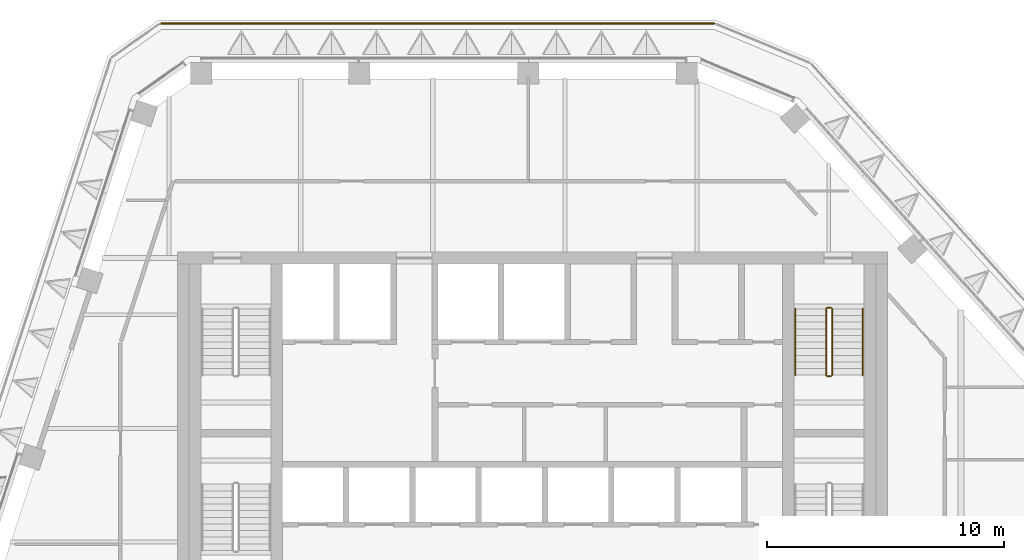
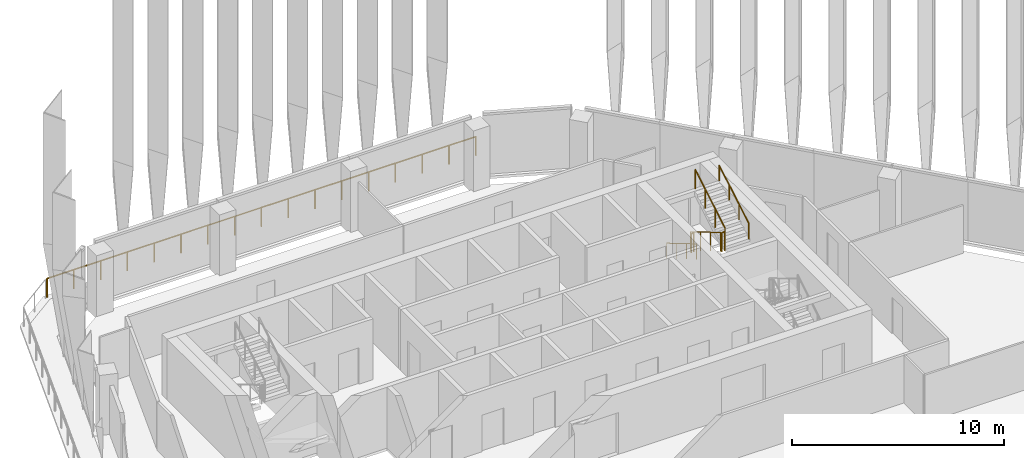
# One storey, part 16 of 21: 7 railings.
"""IFC4 building model written with IfcOpenShell, lengths in metres."""

from ifc_helpers import new_model, si_unit, direction, frame, origin, origin_2d, place, context, subcontext, project, spatial, circle, extrude, material, type_object, element, save


model = new_model("IFC4")

# Units and contexts
model_context = context("Model", 3, precision=1e-05, world=origin(), true_north=direction((0.0, 1.0)))
body_context = subcontext(model_context, "Body", "Model", "MODEL_VIEW")
ifc_project = project(units=[si_unit("LENGTHUNIT", "METRE"), si_unit("AREAUNIT", "SQUARE_METRE"), si_unit("VOLUMEUNIT", "CUBIC_METRE"), si_unit("PLANEANGLEUNIT", "RADIAN"), si_unit("MASSUNIT", "GRAM", prefix="KILO")], contexts=[model_context])

# Site, building, storey
site_placement = place(None, origin())
site = spatial("IfcSite", under=ifc_project, at=site_placement, CompositionType="ELEMENT")
building_placement = place(site_placement, origin())
building = spatial("IfcBuilding", under=site, at=building_placement, Name="Isthmus Gate Tower", CompositionType="ELEMENT")
storey_placement = place(building_placement, frame((0.0, 0.0, 260.949951171875)))
storey = spatial("IfcBuildingStorey", under=building, at=storey_placement, Name="L66", CompositionType="ELEMENT", Elevation=260.949951171875)

# Railings
ifc_material_1 = material(Name="Stainless steel posts and toughened laminated glass", Category="steel")
railing_type_1 = type_object("IfcRailingType", Name="GUARD 1100 LEDGE GLASS", PredefinedType="GUARDRAIL", material=ifc_material_1)
railing_1_placement = place(storey_placement, frame((-15.680419921875, 24.64990234375, 0.0)))
element("IfcRailing", 1, at=railing_1_placement, inside=storey, type_object=railing_type_1, Name="LEDGE GUARD", PredefinedType="GUARDRAIL", context=body_context, shape_type="SweptSolid", body=[
    extrude(circle(Radius=0.02490234375, at=origin_2d()), frame((0.0, 0.0, 1.0751953125), z_axis=(1.0, 0.0, 0.0), x_axis=(0.0, 1.0, 0.0)), (0.0, 0.0, 1.0), 23.341552734375),
    extrude(circle(Radius=0.02490234375, at=origin_2d()), origin(), (0.0, 0.0, 1.0), 1.050048828125),
    extrude(circle(Radius=0.02490234375, at=origin_2d()), frame((1.458740234375, 0.0, 0.0)), (0.0, 0.0, 1.0), 1.050048828125),
    extrude(circle(Radius=0.02490234375, at=origin_2d()), frame((2.917724609375, 0.0, 0.0)), (0.0, 0.0, 1.0), 1.050048828125),
    extrude(circle(Radius=0.02490234375, at=origin_2d()), frame((4.37646484375, 0.0, 0.0)), (0.0, 0.0, 1.0), 1.050048828125),
    extrude(circle(Radius=0.02490234375, at=origin_2d()), frame((5.83544921875, 0.0, 0.0)), (0.0, 0.0, 1.0), 1.050048828125),
    extrude(circle(Radius=0.02490234375, at=origin_2d()), frame((7.294189453125, 0.0, 0.0)), (0.0, 0.0, 1.0), 1.050048828125),
    extrude(circle(Radius=0.02490234375, at=origin_2d()), frame((8.753173828125, 0.0, 0.0)), (0.0, 0.0, 1.0), 1.050048828125),
    extrude(circle(Radius=0.02490234375, at=origin_2d()), frame((10.2119140625, 0.0, 0.0)), (0.0, 0.0, 1.0), 1.050048828125),
    extrude(circle(Radius=0.02490234375, at=origin_2d()), frame((11.6708984375, 0.0, 0.0)), (0.0, 0.0, 1.0), 1.050048828125),
    extrude(circle(Radius=0.02490234375, at=origin_2d()), frame((13.129638671875, 0.0, 0.0)), (0.0, 0.0, 1.0), 1.050048828125),
    extrude(circle(Radius=0.02490234375, at=origin_2d()), frame((14.58837890625, 0.0, 0.0)), (0.0, 0.0, 1.0), 1.050048828125),
    extrude(circle(Radius=0.02490234375, at=origin_2d()), frame((16.04736328125, 0.0, 0.0)), (0.0, 0.0, 1.0), 1.050048828125),
    extrude(circle(Radius=0.02490234375, at=origin_2d()), frame((17.506103515625, 0.0, 0.0)), (0.0, 0.0, 1.0), 1.050048828125),
    extrude(circle(Radius=0.02490234375, at=origin_2d()), frame((18.965087890625, 0.0, 0.0)), (0.0, 0.0, 1.0), 1.050048828125),
    extrude(circle(Radius=0.02490234375, at=origin_2d()), frame((20.423828125, 0.0, 0.0)), (0.0, 0.0, 1.0), 1.050048828125),
    extrude(circle(Radius=0.02490234375, at=origin_2d()), frame((21.8828125, 0.0, 0.0)), (0.0, 0.0, 1.0), 1.050048828125),
    extrude(circle(Radius=0.02490234375, at=origin_2d()), frame((23.341552734375, 0.0, 0.0)), (0.0, 0.0, 1.0), 1.050048828125),
])
ifc_material_2 = material(Name="Stainless steel balustrade", Category="steel")
railing_type_2 = type_object("IfcRailingType", Name="STAIR GUARD 1100", PredefinedType="GUARDRAIL", material=ifc_material_2)
railing_2_placement = place(storey_placement, frame((12.39990234375, 12.60009765625, 0.166015625)))
element("IfcRailing", 2, at=railing_2_placement, inside=storey, type_object=railing_type_2, Name="L66 ST2 stair guard 1", PredefinedType="GUARDRAIL", context=body_context, shape_type="SweptSolid", body=[
    extrude(circle(Radius=0.02392578125, at=origin_2d()), frame((0.0, 0.0, 1.076171875), z_axis=(0.0, -0.860339051648, 0.50972219513), x_axis=(1.0, 0.0, 0.0)), (0.0, 0.0, 1.0), 3.254638671875),
    extrude(circle(Radius=0.02099609375, at=origin_2d()), origin(), (0.0, 0.0, 1.0), 1.052001953125),
    extrude(circle(Radius=0.02099609375, at=origin_2d()), frame((0.0, -0.933349609375, 0.552978515625)), (0.0, 0.0, 1.0), 1.052001953125),
    extrude(circle(Radius=0.02099609375, at=origin_2d()), frame((0.0, -1.86669921875, 1.10595703125)), (0.0, 0.0, 1.0), 1.052001953125),
    extrude(circle(Radius=0.02099609375, at=origin_2d()), frame((0.0, -2.800048828125, 1.658935546875)), (0.0, 0.0, 1.0), 1.052001953125),
])
railing_3_placement = place(storey_placement, frame((12.449951171875, 9.75, 1.824951171875)))
element("IfcRailing", 3, at=railing_3_placement, inside=storey, type_object=railing_type_2, Name="L66 ST2 stair guard 2", PredefinedType="GUARDRAIL", context=body_context, shape_type="SweptSolid", body=[
    extrude(circle(Radius=0.02392578125, at=origin_2d()), frame((0.0, 0.0, 1.076171875), z_axis=(1.0, 0.0, 0.0), x_axis=(0.0, 1.0, 0.0)), (0.0, 0.0, 1.0), 0.150146484375),
    extrude(circle(Radius=0.02099609375, at=origin_2d()), origin(), (0.0, 0.0, 1.0), 1.052001953125),
    extrude(circle(Radius=0.02099609375, at=origin_2d()), frame((0.150146484375, 0.0, 0.0)), (0.0, 0.0, 1.0), 1.052001953125),
])
railing_4_placement = place(storey_placement, frame((12.64990234375, 9.800048828125, 1.990966796875)))
element("IfcRailing", 4, at=railing_4_placement, inside=storey, type_object=railing_type_2, Name="L66 ST2 stair guard 3", PredefinedType="GUARDRAIL", context=body_context, shape_type="SweptSolid", body=[
    extrude(circle(Radius=0.02392578125, at=origin_2d()), frame((0.0, 0.0, 1.076171875), z_axis=(0.0, 0.860306154799, 0.50977771628), x_axis=(-1.0, 0.0, 0.0)), (0.0, 0.0, 1.0), 3.254638671875),
    extrude(circle(Radius=0.02099609375, at=origin_2d()), origin(), (0.0, 0.0, 1.0), 1.052001953125),
    extrude(circle(Radius=0.02099609375, at=origin_2d()), frame((0.0, 0.933349609375, 0.552978515625)), (0.0, 0.0, 1.0), 1.052001953125),
    extrude(circle(Radius=0.02099609375, at=origin_2d()), frame((0.0, 1.86669921875, 1.106201171875)), (0.0, 0.0, 1.0), 1.052001953125),
    extrude(circle(Radius=0.02099609375, at=origin_2d()), frame((0.0, 2.800048828125, 1.6591796875)), (0.0, 0.0, 1.0), 1.052001953125),
])
railing_5_placement = place(storey_placement, frame((12.449951171875, 12.64990234375, 0.0)))
element("IfcRailing", 5, at=railing_5_placement, inside=storey, type_object=railing_type_2, Name="L66 ST2 stair guard 4", PredefinedType="GUARDRAIL", context=body_context, shape_type="SweptSolid", body=[
    extrude(circle(Radius=0.02392578125, at=origin_2d()), frame((0.0, 0.0, 1.076171875), z_axis=(1.0, 0.0, 0.0), x_axis=(0.0, 1.0, 0.0)), (0.0, 0.0, 1.0), 0.150146484375),
    extrude(circle(Radius=0.02099609375, at=origin_2d()), origin(), (0.0, 0.0, 1.0), 1.052001953125),
    extrude(circle(Radius=0.02099609375, at=origin_2d()), frame((0.150146484375, 0.0, 0.0)), (0.0, 0.0, 1.0), 1.052001953125),
])
ifc_material_3 = material(Name="Stainless steel handrail", Category="steel")
railing_type_3 = type_object("IfcRailingType", Name="STAIR HANDRAIL 900", PredefinedType="HANDRAIL", material=ifc_material_3)
railing_6_placement = place(storey_placement, frame((11.10009765625, 12.60009765625, 0.166015625)))
element("IfcRailing", 6, at=railing_6_placement, inside=storey, type_object=railing_type_3, Name="L66 ST2 stair handrail 1", PredefinedType="HANDRAIL", context=body_context, shape_type="SweptSolid", body=[
    extrude(circle(Radius=0.02392578125, at=origin_2d()), frame((0.0, 0.0, 0.8759765625), z_axis=(0.0, -0.860339051648, 0.50972219513), x_axis=(1.0, 0.0, 0.0)), (0.0, 0.0, 1.0), 3.254638671875),
    extrude(circle(Radius=0.02099609375, at=origin_2d()), origin(), (0.0, 0.0, 1.0), 0.851806640625),
    extrude(circle(Radius=0.02099609375, at=origin_2d()), frame((0.0, -0.933349609375, 0.552978515625)), (0.0, 0.0, 1.0), 0.851806640625),
    extrude(circle(Radius=0.02099609375, at=origin_2d()), frame((0.0, -1.86669921875, 1.10595703125)), (0.0, 0.0, 1.0), 0.851806640625),
    extrude(circle(Radius=0.02099609375, at=origin_2d()), frame((0.0, -2.800048828125, 1.658935546875)), (0.0, 0.0, 1.0), 0.851806640625),
])
railing_7_placement = place(storey_placement, frame((13.949951171875, 9.800048828125, 1.990966796875)))
element("IfcRailing", 7, at=railing_7_placement, inside=storey, type_object=railing_type_3, Name="L66 ST2 stair handrail 2", PredefinedType="HANDRAIL", context=body_context, shape_type="SweptSolid", body=[
    extrude(circle(Radius=0.02392578125, at=origin_2d()), frame((0.0, 0.0, 0.8759765625), z_axis=(0.0, 0.860306154799, 0.50977771628), x_axis=(-1.0, 0.0, 0.0)), (0.0, 0.0, 1.0), 3.254638671875),
    extrude(circle(Radius=0.02099609375, at=origin_2d()), origin(), (0.0, 0.0, 1.0), 0.851806640625),
    extrude(circle(Radius=0.02099609375, at=origin_2d()), frame((0.0, 0.933349609375, 0.552978515625)), (0.0, 0.0, 1.0), 0.851806640625),
    extrude(circle(Radius=0.02099609375, at=origin_2d()), frame((0.0, 1.86669921875, 1.106201171875)), (0.0, 0.0, 1.0), 0.851806640625),
    extrude(circle(Radius=0.02099609375, at=origin_2d()), frame((0.0, 2.800048828125, 1.6591796875)), (0.0, 0.0, 1.0), 0.851806640625),
])

save(model, "model.ifc")
